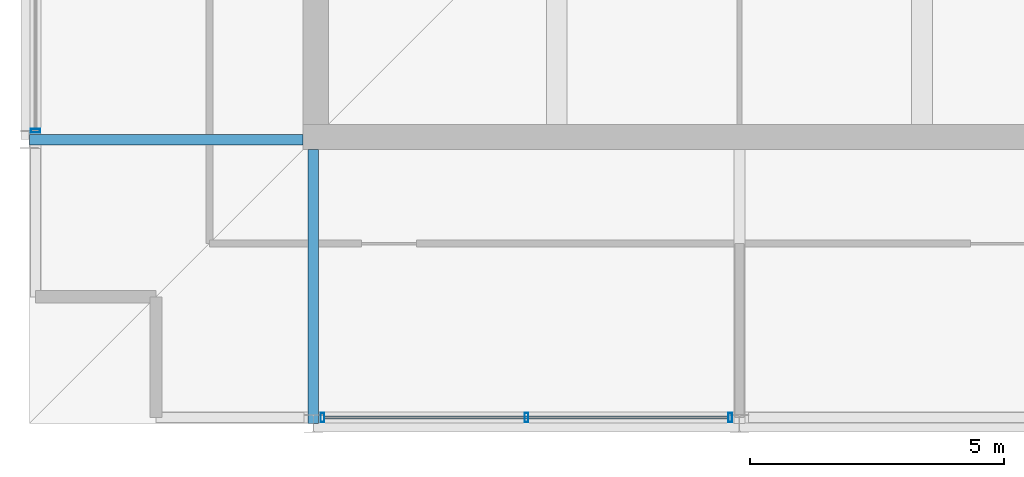
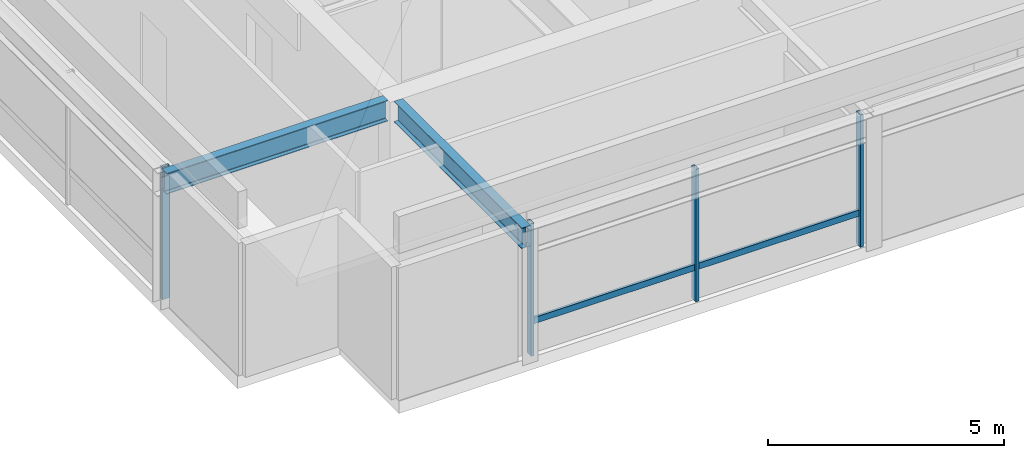
# One storey, part 2 of 13: 5 members, 2 beams, 2 elements without a shape of their own.
"""IFC4 building model written with IfcOpenShell, lengths in metres."""

from ifc_helpers import new_model, si_unit, direction, frame, origin, origin_2d, place, context, subcontext, project, spatial, hollow_rectangle, i_section, extrude, material, layer, layer_set, material_profile, profile_set, type_object, element, aggregate, save


model = new_model("IFC4")

# Units and contexts
model_context = context("Model", 3, precision=1e-05, world=origin(), true_north=direction((0.0, 1.0)))
body_context = subcontext(model_context, "Body", "Model", "MODEL_VIEW")
ifc_project = project(units=[si_unit("LENGTHUNIT", "METRE"), si_unit("AREAUNIT", "SQUARE_METRE"), si_unit("VOLUMEUNIT", "CUBIC_METRE"), si_unit("PLANEANGLEUNIT", "RADIAN"), si_unit("MASSUNIT", "GRAM", prefix="KILO")], contexts=[model_context])

# Site, building, storey
site_placement = place(None, origin())
site = spatial("IfcSite", under=ifc_project, at=site_placement, CompositionType="ELEMENT")
building_placement = place(site_placement, origin())
building = spatial("IfcBuilding", under=site, at=building_placement, Name="Drelvath Grand Hotel", CompositionType="ELEMENT")
storey_placement = place(building_placement, frame((0.0, 0.0, 323.199951171875)))
storey = spatial("IfcBuildingStorey", under=building, at=storey_placement, Name="L84", CompositionType="ELEMENT", Elevation=323.199951171875)

# Curtain wall, member
ifc_material_1 = material(Name="Pale-Metal Anodised Aluminium Crown Frame", Category="aluminium")
ifc_layer = layer(ifc_material_1, 0.199951171875)
ifc_layer_set = layer_set([ifc_layer], Name="Pale-Metal Anodised Aluminium Crown Frame")
curtain_wall_type = type_object("IfcCurtainWallType", Name="Stick Curtain Wall CW-06 Pale-Metal Crown Clerestory", PredefinedType="NOTDEFINED", material=ifc_layer_set)
curtain_wall_1_placement = place(storey_placement, origin())
curtain_wall_1 = element("IfcCurtainWall", 1, at=curtain_wall_1_placement, inside=storey, type_object=curtain_wall_type, Name="L84 CW-06 Curtain Wall CW06-L84-S", PredefinedType="NOTDEFINED")
ifc_material_profile_1 = material_profile(ifc_material_1, hollow_rectangle(XDim=0.06494140625, YDim=0.159912109375, WallThickness=0.00390625, at=origin_2d()), Name="HSS160X65X4")
ifc_profile_set_1 = profile_set([ifc_material_profile_1], Name="Pale-Metal Anodised Aluminium Crown Frame")
member_type_1 = type_object("IfcMemberType", Name="Curtain Wall Horizontal Transom CW-06 HSS160X65X4", PredefinedType="USERDEFINED", material=ifc_profile_set_1)
member_1_placement = place(storey_placement, frame((-0.220458984375, 13.1201171875, 0.85009765625), z_axis=(-1.0, 0.0, 0.0), x_axis=(0.0, -1.0, 0.0)))
member_1 = element("IfcMember", 2, at=member_1_placement, type_object=member_type_1, Name="CW06-L84-S Sill Transom", ObjectType="TRANSOM", PredefinedType="USERDEFINED", context=body_context, shape_type="SweptSolid", body=[
    extrude(hollow_rectangle(XDim=0.06494140625, YDim=0.159912109375, WallThickness=0.00390625, at=origin_2d()), origin(), (0.0, 0.0, 1.0), 7.959228515625),
])

curtain_wall_2_placement = place(storey_placement, origin())
curtain_wall_2 = element("IfcCurtainWall", 3, at=curtain_wall_2_placement, inside=storey, type_object=curtain_wall_type, Name="L84 CW-06 Curtain Wall CW06-L84-W", PredefinedType="NOTDEFINED")
ifc_material_profile_2 = material_profile(ifc_material_1, hollow_rectangle(XDim=0.074951171875, YDim=0.179931640625, WallThickness=0.0048828125, at=origin_2d()), Name="HSS180X75X5")
ifc_profile_set_2 = profile_set([ifc_material_profile_2], Name="Pale-Metal Anodised Aluminium Crown Frame")
member_type_2 = type_object("IfcMemberType", Name="Curtain Wall Vertical Mullion CW-06 HSS180X75X5", PredefinedType="MULLION", material=ifc_profile_set_2)
member_2_placement = place(storey_placement, frame((-13.8798828125, 18.77392578125, 0.0), z_axis=(0.0, 0.0, 1.0), x_axis=(0.0, 1.0, 0.0)))
member_2 = element("IfcMember", 4, at=member_2_placement, type_object=member_type_2, Name="CW06-L84-W Mullion 1", PredefinedType="MULLION", context=body_context, shape_type="SweptSolid", body=[
    extrude(hollow_rectangle(XDim=0.074951171875, YDim=0.179931640625, WallThickness=0.0048828125, at=origin_2d()), origin(), (0.0, 0.0, 1.0), 3.420166015625),
])
aggregate(curtain_wall_2, [member_2])

# Member
member_3_placement = place(storey_placement, frame((-0.180419921875, 13.1201171875, 0.0), z_axis=(0.0, 0.0, 1.0), x_axis=(1.0, 0.0, 0.0)))
member_3 = element("IfcMember", 5, at=member_3_placement, type_object=member_type_2, Name="CW06-L84-S Mullion 1", PredefinedType="MULLION", context=body_context, shape_type="SweptSolid", body=[
    extrude(hollow_rectangle(XDim=0.074951171875, YDim=0.179931640625, WallThickness=0.0048828125, at=origin_2d()), origin(), (0.0, 0.0, 1.0), 3.420166015625),
])

member_4_placement = place(storey_placement, frame((-4.199951171875, 13.1201171875, 0.0), z_axis=(0.0, 0.0, 1.0), x_axis=(1.0, 0.0, 0.0)))
member_4 = element("IfcMember", 6, at=member_4_placement, type_object=member_type_2, Name="CW06-L84-S Mullion 2", PredefinedType="MULLION", context=body_context, shape_type="SweptSolid", body=[
    extrude(hollow_rectangle(XDim=0.074951171875, YDim=0.179931640625, WallThickness=0.0048828125, at=origin_2d()), origin(), (0.0, 0.0, 1.0), 3.420166015625),
])

member_5_placement = place(storey_placement, frame((-8.219482421875, 13.1201171875, 0.0), z_axis=(0.0, 0.0, 1.0), x_axis=(1.0, 0.0, 0.0)))
member_5 = element("IfcMember", 7, at=member_5_placement, type_object=member_type_2, Name="CW06-L84-S Mullion 3", PredefinedType="MULLION", context=body_context, shape_type="SweptSolid", body=[
    extrude(hollow_rectangle(XDim=0.074951171875, YDim=0.179931640625, WallThickness=0.0048828125, at=origin_2d()), origin(), (0.0, 0.0, 1.0), 3.420166015625),
])

aggregate(curtain_wall_1, [member_3, member_4, member_5, member_1])

# Beams
ifc_material_2 = material(Name="Steel ASTM A992 Gr 50", Category="steel")
ifc_material_profile_3 = material_profile(ifc_material_2, i_section(OverallWidth=0.210205078125, OverallDepth=0.53662109375, WebThickness=0.010986328125, FlangeThickness=0.017333984375, FilletRadius=0.01806640625, at=origin_2d()), Name="W21X68")
ifc_profile_set_3 = profile_set([ifc_material_profile_3], Name="Steel ASTM A992 Gr 50")
beam_type = type_object("IfcBeamType", Name="Primary Floor Girder W21X68", PredefinedType="BEAM", material=ifc_profile_set_3)
for number, where, z_axis, x_axis, name in (
    (8, (-14.0, 18.60009765625, 3.15185546875), (1.0, 0.0, 0.0), (0.0, 1.0, 0.0), "L84 Crown Drum Tie West D"),
    (9, (-8.39990234375, 13.0, 3.15185546875), (0.0, 1.0, 0.0), (-1.0, 0.0, 0.0), "L84 Crown Drum Tie South 4"),
):
    element("IfcBeam", number, at=place(storey_placement, frame(where, z_axis=z_axis, x_axis=x_axis)), inside=storey, type_object=beam_type, Name=name, PredefinedType="BEAM", context=body_context, shape_type="SweptSolid", body=[
        extrude(i_section(OverallWidth=0.210205078125, OverallDepth=0.53662109375, WebThickness=0.010986328125, FlangeThickness=0.017333984375, FilletRadius=0.01806640625, at=origin_2d()), origin(), (0.0, 0.0, 1.0), 5.39990234375),
    ])

save(model, "model.ifc")
